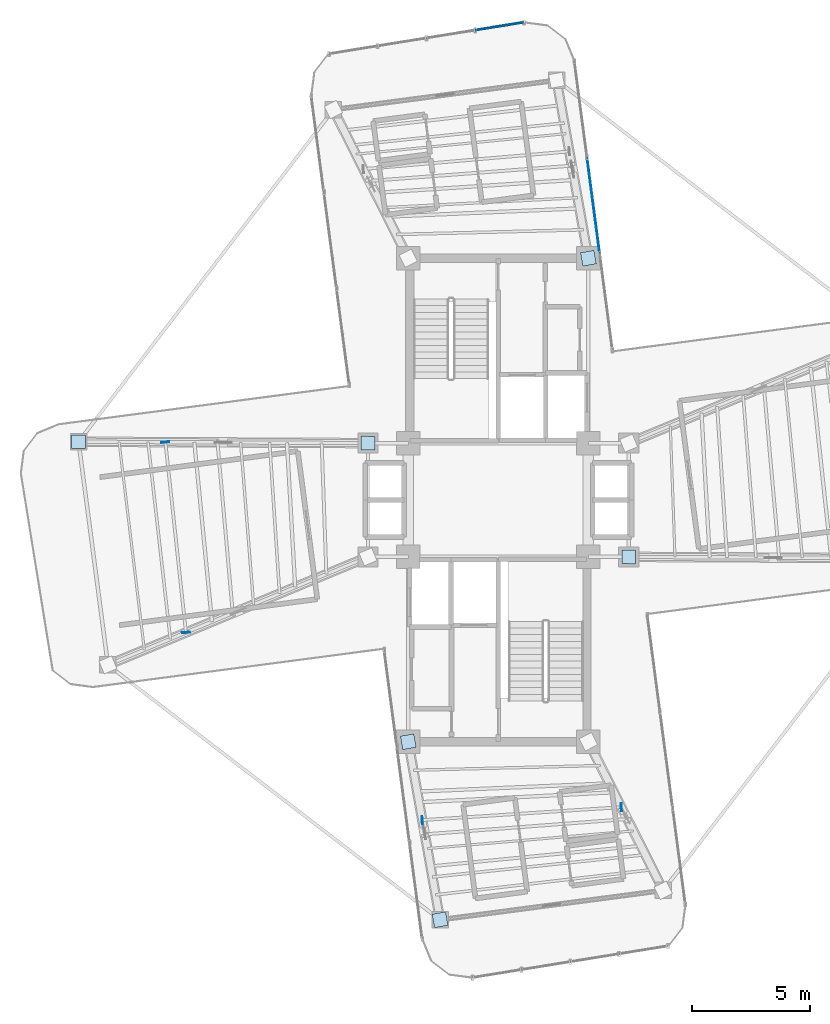
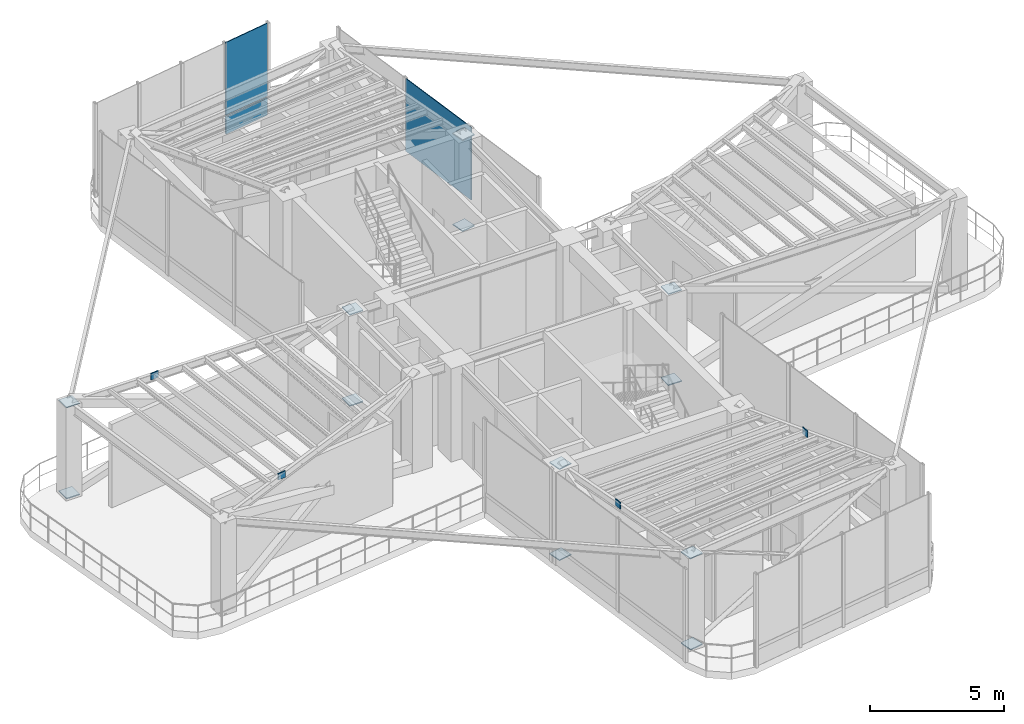
# One storey, part 12 of 17: 19 plates, 2 elements without a shape of their own.
"""IFC4 building model written with IfcOpenShell, lengths in metres."""

from ifc_helpers import new_model, si_unit, direction, frame, origin, origin_2d, place, context, subcontext, project, spatial, rectangle, extrude, source, transform, mapped, material, layer, layer_set, type_object, element, aggregate, save


model = new_model("IFC4")

# Units and contexts
model_context = context("Model", 3, precision=1e-05, world=origin(), true_north=direction((0.0, 1.0)))
body_context = subcontext(model_context, "Body", "Model", "MODEL_VIEW")
ifc_project = project(units=[si_unit("LENGTHUNIT", "METRE"), si_unit("AREAUNIT", "SQUARE_METRE"), si_unit("VOLUMEUNIT", "CUBIC_METRE"), si_unit("PLANEANGLEUNIT", "RADIAN"), si_unit("MASSUNIT", "GRAM", prefix="KILO")], contexts=[model_context])

# Site, building, storey
site_placement = place(None, origin())
site = spatial("IfcSite", under=ifc_project, at=site_placement, CompositionType="ELEMENT")
building_placement = place(site_placement, origin())
building = spatial("IfcBuilding", under=site, at=building_placement, Name="Sahyath Konkavel Grand Hotel", CompositionType="ELEMENT")
storey_placement = place(building_placement, frame((0.0, 0.0, 264.60009765625)))
storey = spatial("IfcBuildingStorey", under=building, at=storey_placement, Name="L74", CompositionType="ELEMENT", Elevation=264.60009765625)

# Plates
ifc_material_1 = material(Name="Steel E450", Category="steel")
plate_type_1 = type_object("IfcPlateType", Name="GUSSET-END-35", PredefinedType="USERDEFINED", material=ifc_material_1)
shared_shape_1 = source(origin(), body_context, "Body", "SweptSolid", [
    extrude(rectangle(XDim=0.580078125, YDim=0.580078125, at=origin_2d()), origin(), (0.0, 0.0, 1.0), 0.044921875),
])
for number, where, z_axis, x_axis, name in (
    (1, (5.5, -2.39990234375, 0.02734375), (0.0, 0.0, 1.0), (0.999988313528, -0.004834543195, 0.0), "L74 Core Outrigger Truss EA Cast-In Embed Gusset Plate BL"),
    (2, (5.5, -2.39990234375, 4.1875), (0.0, 0.0, 1.0), (0.999988313528, -0.004834543195, 0.0), "L74 Core Outrigger Truss EA Cast-In Embed Gusset Plate TL"),
    (3, (3.800048828125, 10.199951171875, 0.02734375), (0.0, 0.0, 1.0), (-0.175710371841, 0.984441905461, 0.0), "L74 Core Outrigger Truss NA Cast-In Embed Gusset Plate BL"),
    (4, (3.800048828125, 10.199951171875, 4.1875), (0.0, 0.0, 1.0), (-0.175710371841, 0.984441905461, 0.0), "L74 Core Outrigger Truss NA Cast-In Embed Gusset Plate TL"),
    (5, (-5.5, 2.39990234375, 0.02734375), (0.0, 0.0, 1.0), (-0.999988313528, 0.004834543195, 0.0), "L74 Core Outrigger Truss WA Cast-In Embed Gusset Plate BL"),
    (6, (-5.5, 2.39990234375, 4.1875), (0.0, 0.0, 1.0), (-0.999988313528, 0.004834543195, 0.0), "L74 Core Outrigger Truss WA Cast-In Embed Gusset Plate TL"),
    (7, (-17.71240234375, 2.458984375, 0.02734375), (0.0, 0.0, 1.0), (-0.999988313528, 0.004834543195, 0.0), "L74 Core Outrigger Truss WA Cast-In Embed Gusset Plate BR"),
    (8, (-17.71240234375, 2.458984375, 4.1875), (0.0, 0.0, 1.0), (-0.999988313528, 0.004834543195, 0.0), "L74 Core Outrigger Truss WA Cast-In Embed Gusset Plate TR"),
    (9, (-3.800048828125, -10.199951171875, 0.02734375), (0.0, 0.0, 1.0), (0.175710371841, -0.984441905461, 0.0), "L74 Core Outrigger Truss SA Cast-In Embed Gusset Plate BL"),
    (10, (-3.800048828125, -10.199951171875, 4.1875), (0.0, 0.0, 1.0), (0.175710371841, -0.984441905461, 0.0), "L74 Core Outrigger Truss SA Cast-In Embed Gusset Plate TL"),
    (11, (-2.458984375, -17.71240234375, 0.02734375), (0.0, 0.0, 1.0), (0.175710371841, -0.984441905461, 0.0), "L74 Core Outrigger Truss SA Cast-In Embed Gusset Plate BR"),
    (12, (-2.458984375, -17.71240234375, 4.1875), (0.0, 0.0, 1.0), (0.175710371841, -0.984441905461, 0.0), "L74 Core Outrigger Truss SA Cast-In Embed Gusset Plate TR"),
):
    element("IfcPlate", number, at=place(storey_placement, frame(where, z_axis=z_axis, x_axis=x_axis)), inside=storey, type_object=plate_type_1, Name=name, ObjectType="GUSSET_PLATE", PredefinedType="USERDEFINED", context=body_context, shape_type="MappedRepresentation", body=[
        mapped(shared_shape_1, transform((0.0, 0.0, 0.0), scale=1.0)),
    ])
shared_shape_2 = source(origin(), body_context, "Body", "SweptSolid", [
    extrude(rectangle(XDim=0.0400390625, YDim=0.340087890625, at=origin_2d()), origin(), (0.0, 0.0, 1.0), 0.300048828125),
])
for number, where, z_axis, x_axis, name in (
    (13, (-14.048583984375, 2.44140625, 4.0), (0.0, 0.0, 1.0), (0.107426747974, -0.994213002238, 0.0), "L74 Sub-Beam W-5 End Cap A"),
    (14, (-13.1806640625, -5.591796875, 4.0), (0.0, 0.0, 1.0), (0.107426747974, -0.994213002238, 0.0), "L74 Sub-Beam W-5 End Cap B"),
    (15, (-3.2099609375, -13.505615234375, 4.0), (0.0, 0.0, 1.0), (0.997897558543, 0.064810976344, 0.0), "L74 Sub-Beam S-3 End Cap A"),
    (16, (5.190185546875, -12.9599609375, 4.0), (0.0, 0.0, 1.0), (0.997897558543, 0.064810976344, 0.0), "L74 Sub-Beam S-3 End Cap B"),
):
    element("IfcPlate", number, at=place(storey_placement, frame(where, z_axis=z_axis, x_axis=x_axis)), inside=storey, type_object=plate_type_1, Name=name, ObjectType="GUSSET_PLATE", PredefinedType="USERDEFINED", context=body_context, shape_type="MappedRepresentation", body=[
        mapped(shared_shape_2, transform((0.0, 0.0, 0.0), scale=1.0)),
    ])

# Curtain wall, plate
ifc_material_2 = material(Name="Anodised Bronze Aluminium & Low-E Glazing", Category="aluminium")
curtain_wall_type = type_object("IfcCurtainWallType", Name="CW-SKYLOBBY", PredefinedType="NOTDEFINED", material=ifc_material_2)
curtain_wall_1_placement = place(storey_placement, origin())
curtain_wall_1 = element("IfcCurtainWall", 17, at=curtain_wall_1_placement, inside=storey, type_object=curtain_wall_type, Name="L74 Unitised Curtain Wall RF12", PredefinedType="NOTDEFINED")
ifc_material_3 = material(Name="Warm Buff Sandstone Cladding", Category="masonry")
ifc_layer_1 = layer(ifc_material_3, 0.074951171875)
ifc_layer_set_1 = layer_set([ifc_layer_1], Name="Warm Buff Sandstone Cladding")
plate_type_2 = type_object("IfcPlateType", Name="PNL-SPANDREL-STONE", PredefinedType="SHEET", material=ifc_layer_set_1)
shared_shape_3 = source(origin(), body_context, "Body", "SweptSolid", [
    extrude(rectangle(XDim=2.007080078125, YDim=0.074951171875, at=origin_2d()), origin(), (0.0, 0.0, 1.0), 0.77001953125),
])
plate_1_placement = place(storey_placement, frame((0.05859375, 19.98681640625, 0.039794921875), z_axis=(0.0, 0.0, 1.0), x_axis=(-0.987178088041, -0.159622750546, 0.0)))
plate_1 = element("IfcPlate", 18, at=plate_1_placement, type_object=plate_type_2, Name="L74 Sandstone Relief Spandrel Panel RF12-0", PredefinedType="SHEET", context=body_context, shape_type="MappedRepresentation", body=[
    mapped(shared_shape_3, transform((0.0, 0.0, 0.0), scale=1.0)),
])

curtain_wall_2_placement = place(storey_placement, origin())
curtain_wall_2 = element("IfcCurtainWall", 19, at=curtain_wall_2_placement, inside=storey, type_object=curtain_wall_type, Name="L74 Unitised Curtain Wall RF8", PredefinedType="NOTDEFINED")
ifc_material_4 = material(Name="Warm Buff Sandstone Perforated Cladding", Category="masonry")
ifc_layer_2 = layer(ifc_material_4, 0.090087890625)
ifc_layer_set_2 = layer_set([ifc_layer_2], Name="Warm Buff Sandstone Perforated Cladding")
plate_type_3 = type_object("IfcPlateType", Name="PNL-CROWN-LOUVRE", PredefinedType="SHEET", material=ifc_layer_set_2)
shared_shape_4 = source(origin(), body_context, "Body", "SweptSolid", [
    extrude(rectangle(XDim=4.023193359375, YDim=0.035888671875, at=origin_2d()), origin(), (0.0, 0.0, 1.0), 3.330078125),
])
plate_2_placement = place(storey_placement, frame((4.012451171875, 12.425048828125, 0.889892578125), z_axis=(0.0, 0.0, 1.0), x_axis=(-0.13052619222, 0.991444861374, 0.0)))
plate_2 = element("IfcPlate", 20, at=plate_2_placement, type_object=plate_type_3, Name="L74 Acoustic Plant Louvre Screen RF8-1", PredefinedType="SHEET", context=body_context, shape_type="MappedRepresentation", body=[
    mapped(shared_shape_4, transform((0.0, 0.0, 0.0), scale=1.0)),
])
aggregate(curtain_wall_2, [plate_2])

# Plate
shared_shape_5 = source(origin(), body_context, "Body", "SweptSolid", [
    extrude(rectangle(XDim=2.007080078125, YDim=0.035888671875, at=origin_2d()), origin(), (0.0, 0.0, 1.0), 3.330078125),
])
plate_3_placement = place(storey_placement, frame((0.05859375, 19.98681640625, 0.889892578125), z_axis=(0.0, 0.0, 1.0), x_axis=(-0.987178088041, -0.159622750546, 0.0)))
plate_3 = element("IfcPlate", 21, at=plate_3_placement, type_object=plate_type_3, Name="L74 Acoustic Plant Louvre Screen RF12-0", PredefinedType="SHEET", context=body_context, shape_type="MappedRepresentation", body=[
    mapped(shared_shape_5, transform((0.0, 0.0, 0.0), scale=1.0)),
])

aggregate(curtain_wall_1, [plate_1, plate_3])

save(model, "model.ifc")
